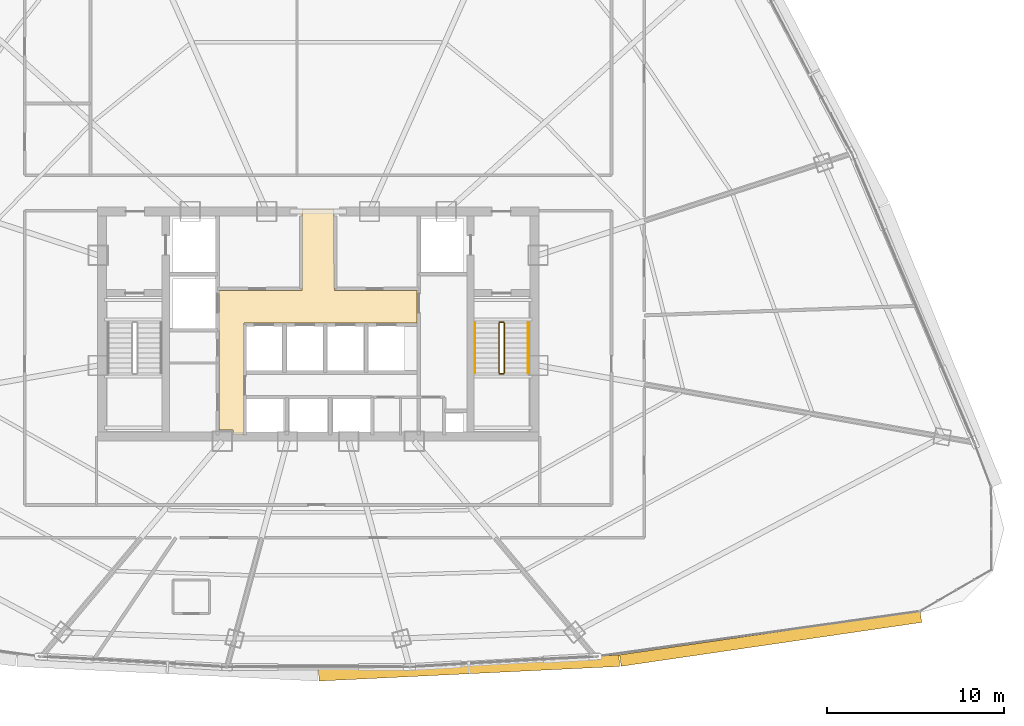
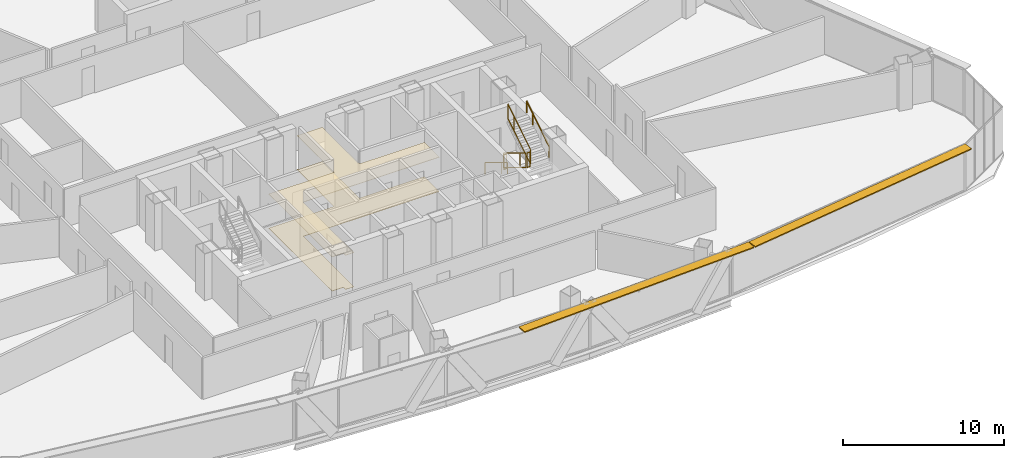
# One storey, part 36 of 38: 6 railings, 2 coverings, 2 shading devices.
"""IFC4 building model written with IfcOpenShell, lengths in metres."""

from ifc_helpers import new_model, si_unit, direction, frame, origin, origin_2d, place, context, subcontext, project, spatial, polyline, rectangle, outline, extrude, source, transform, mapped, material, layer, layer_set, type_object, element, save


model = new_model("IFC4")

# Units and contexts
model_context = context("Model", 3, precision=1e-05, world=origin(), true_north=direction((0.0, 1.0)))
body_context = subcontext(model_context, "Body", "Model", "MODEL_VIEW")
ifc_project = project(units=[si_unit("LENGTHUNIT", "METRE"), si_unit("AREAUNIT", "SQUARE_METRE"), si_unit("VOLUMEUNIT", "CUBIC_METRE"), si_unit("PLANEANGLEUNIT", "RADIAN"), si_unit("MASSUNIT", "GRAM", prefix="KILO"), si_unit("THERMODYNAMICTEMPERATUREUNIT", "KELVIN"), si_unit("POWERUNIT", "WATT")], contexts=[model_context])

# Site, building, storey
site_placement = place(None, origin())
site = spatial("IfcSite", under=ifc_project, at=site_placement, CompositionType="ELEMENT")
building_placement = place(site_placement, origin())
building = spatial("IfcBuilding", under=site, at=building_placement, Name="Yunzhuo Pagoda Commons", CompositionType="ELEMENT")
storey_placement = place(building_placement, frame((0.0, 0.0, 203.760009765625)))
storey = spatial("IfcBuildingStorey", under=building, at=storey_placement, Name="L51", CompositionType="ELEMENT", Elevation=203.760009765625)

# Coverings
ifc_material_1 = material(Name="Perforated gypsum acoustic ceiling tile")
ifc_layer_1 = layer(ifc_material_1, 0.030029296875)
ifc_layer_set_1 = layer_set([ifc_layer_1], Name="Perforated gypsum acoustic ceiling tile")
covering_type_1 = type_object("IfcCoveringType", Name="COV-CL2 Ceiling 30", PredefinedType="CEILING", material=ifc_layer_set_1)
covering_1_placement = place(storey_placement, frame((0.0, 0.0, 2.590087890625)))
element("IfcCovering", 1, at=covering_1_placement, inside=storey, type_object=covering_type_1, Name="L51 lift lobby acoustic ceiling", PredefinedType="CEILING", context=body_context, shape_type="SweptSolid", body=[
    extrude(outline(polyline([(42.39990234375, 35.75), (47.080078125, 35.75), (47.080078125, 37.25), (47.10009765625, 37.25), (47.10009765625, 40.35009765625), (48.89990234375, 40.35009765625), (48.89990234375, 37.25), (48.919921875, 37.25), (48.919921875, 35.75), (53.580078125, 35.75), (53.580078125, 33.89990234375), (43.820068359375, 33.89990234375), (43.820068359375, 27.60009765625), (43.207763671875, 27.60009765625), (43.207763671875, 27.85009765625), (43.201904296875, 27.864013671875), (43.187744140625, 27.8701171875), (42.39990234375, 27.8701171875), (42.39990234375, 33.89990234375), (42.39990234375, 35.75)])), origin(), (0.0, 0.0, 1.0), 0.02978515625),
])
ifc_material_2 = material(Name="Porcelain ceramic floor tile")
ifc_layer_2 = layer(ifc_material_2, 0.02001953125)
ifc_layer_set_2 = layer_set([ifc_layer_2], Name="Porcelain ceramic floor tile")
covering_type_2 = type_object("IfcCoveringType", Name="COV-FL1 Flooring 20", PredefinedType="FLOORING", material=ifc_layer_set_2)
covering_2_placement = place(storey_placement, origin())
element("IfcCovering", 2, at=covering_2_placement, inside=storey, type_object=covering_type_2, Name="L51 lift lobby flooring", PredefinedType="FLOORING", context=body_context, shape_type="SweptSolid", body=[
    extrude(outline(polyline([(42.39990234375, 35.75), (47.080078125, 35.75), (47.080078125, 37.25), (47.10009765625, 37.25), (47.10009765625, 40.35009765625), (48.89990234375, 40.35009765625), (48.89990234375, 37.25), (48.919921875, 37.25), (48.919921875, 35.75), (53.580078125, 35.75), (53.580078125, 33.89990234375), (43.820068359375, 33.89990234375), (43.820068359375, 27.60009765625), (43.207763671875, 27.60009765625), (43.207763671875, 27.85009765625), (43.201904296875, 27.864013671875), (43.187744140625, 27.8701171875), (42.39990234375, 27.8701171875), (42.39990234375, 33.89990234375), (42.39990234375, 35.75)])), origin(), (0.0, 0.0, 1.0), 0.02001953125),
])

# Railings
ifc_material_3 = material(Name="Anodized aluminium 6063-T6", Category="aluminium")
railing_type_1 = type_object("IfcRailingType", Name="GR-ST2 Stair Well Guardrail 1160", PredefinedType="GUARDRAIL", material=ifc_material_3)
railing_1_placement = place(storey_placement, frame((58.199951171875, 33.89990234375, 0.172607421875)))
element("IfcRailing", 3, at=railing_1_placement, inside=storey, type_object=railing_type_1, Name="L51 ST2 stair guard 1", PredefinedType="GUARDRAIL", context=body_context, shape_type="SweptSolid", body=[
    extrude(rectangle(XDim=0.048095703125, YDim=0.048095703125, at=origin_2d()), frame((0.0, 0.0, 1.1259765625), z_axis=(0.0, -0.851069175582, 0.525053576669), x_axis=(1.0, 0.0, 0.0)), (0.0, 0.0, 1.0), 3.289794921875),
    extrude(rectangle(XDim=0.048095703125, YDim=0.048095703125, at=origin_2d()), frame((0.0, 0.0, 0.02392578125), z_axis=(0.0, -0.851069175582, 0.525053576669), x_axis=(1.0, 0.0, 0.0)), (0.0, 0.0, 1.0), 3.289794921875),
    extrude(rectangle(XDim=0.0419921875, YDim=0.0419921875, at=origin_2d()), origin(), (0.0, 0.0, 1.0), 1.101806640625),
    extrude(rectangle(XDim=0.0419921875, YDim=0.0419921875, at=origin_2d()), frame((0.0, -2.04248046875, 1.260009765625)), (0.0, 0.0, 1.0), 1.101806640625),
    extrude(rectangle(XDim=0.0419921875, YDim=0.0419921875, at=origin_2d()), frame((0.0, -2.7998046875, 1.727294921875)), (0.0, 0.0, 1.0), 1.101806640625),
])
railing_2_placement = place(storey_placement, frame((58.25, 31.050048828125, 1.89990234375)))
element("IfcRailing", 4, at=railing_2_placement, inside=storey, type_object=railing_type_1, Name="L51 ST2 stair guard 2", PredefinedType="GUARDRAIL", context=body_context, shape_type="SweptSolid", body=[
    extrude(rectangle(XDim=0.048095703125, YDim=0.048095703125, at=origin_2d()), frame((0.0, 0.0, 1.1259765625), z_axis=(1.0, 0.0, 0.0), x_axis=(0.0, 1.0, 0.0)), (0.0, 0.0, 1.0), 0.199951171875),
    extrude(rectangle(XDim=0.048095703125, YDim=0.048095703125, at=origin_2d()), frame((0.0, 0.0, 0.02392578125), z_axis=(1.0, 0.0, 0.0), x_axis=(0.0, 1.0, 0.0)), (0.0, 0.0, 1.0), 0.199951171875),
    extrude(rectangle(XDim=0.0419921875, YDim=0.0419921875, at=origin_2d()), origin(), (0.0, 0.0, 1.0), 1.101806640625),
    extrude(rectangle(XDim=0.0419921875, YDim=0.0419921875, at=origin_2d()), frame((0.199951171875, 0.0, 0.0)), (0.0, 0.0, 1.0), 1.101806640625),
])
railing_3_placement = place(storey_placement, frame((58.5, 31.10009765625, 2.07275390625)))
element("IfcRailing", 5, at=railing_3_placement, inside=storey, type_object=railing_type_1, Name="L51 ST2 stair guard 3", PredefinedType="GUARDRAIL", context=body_context, shape_type="SweptSolid", body=[
    extrude(rectangle(XDim=0.048095703125, YDim=0.048095703125, at=origin_2d()), frame((0.0, 0.0, 1.1259765625), z_axis=(0.0, 0.851069175582, 0.525053576669), x_axis=(-1.0, 0.0, 0.0)), (0.0, 0.0, 1.0), 3.289794921875),
    extrude(rectangle(XDim=0.048095703125, YDim=0.048095703125, at=origin_2d()), frame((0.0, 0.0, 0.02392578125), z_axis=(0.0, 0.851069175582, 0.525053576669), x_axis=(-1.0, 0.0, 0.0)), (0.0, 0.0, 1.0), 3.289794921875),
    extrude(rectangle(XDim=0.0419921875, YDim=0.0419921875, at=origin_2d()), origin(), (0.0, 0.0, 1.0), 1.101806640625),
    extrude(rectangle(XDim=0.0419921875, YDim=0.0419921875, at=origin_2d()), frame((0.0, 2.04248046875, 1.260009765625)), (0.0, 0.0, 1.0), 1.101806640625),
    extrude(rectangle(XDim=0.0419921875, YDim=0.0419921875, at=origin_2d()), frame((0.0, 2.7998046875, 1.727294921875)), (0.0, 0.0, 1.0), 1.101806640625),
])
railing_4_placement = place(storey_placement, frame((58.25, 33.949951171875, 0.0)))
element("IfcRailing", 6, at=railing_4_placement, inside=storey, type_object=railing_type_1, Name="L51 ST2 stair guard 4", PredefinedType="GUARDRAIL", context=body_context, shape_type="SweptSolid", body=[
    extrude(rectangle(XDim=0.048095703125, YDim=0.048095703125, at=origin_2d()), frame((0.0, 0.0, 1.1259765625), z_axis=(1.0, 0.0, 0.0), x_axis=(0.0, 1.0, 0.0)), (0.0, 0.0, 1.0), 0.199951171875),
    extrude(rectangle(XDim=0.048095703125, YDim=0.048095703125, at=origin_2d()), frame((0.0, 0.0, 0.02392578125), z_axis=(1.0, 0.0, 0.0), x_axis=(0.0, 1.0, 0.0)), (0.0, 0.0, 1.0), 0.199951171875),
    extrude(rectangle(XDim=0.0419921875, YDim=0.0419921875, at=origin_2d()), origin(), (0.0, 0.0, 1.0), 1.101806640625),
    extrude(rectangle(XDim=0.0419921875, YDim=0.0419921875, at=origin_2d()), frame((0.199951171875, 0.0, 0.0)), (0.0, 0.0, 1.0), 1.101806640625),
])
railing_type_2 = type_object("IfcRailingType", Name="HR-ST2 Stair Handrail 900", PredefinedType="HANDRAIL", material=ifc_material_3)
railing_5_placement = place(storey_placement, frame((56.85009765625, 33.89990234375, 0.172607421875)))
element("IfcRailing", 7, at=railing_5_placement, inside=storey, type_object=railing_type_2, Name="L51 ST2 stair handrail 1", PredefinedType="HANDRAIL", context=body_context, shape_type="SweptSolid", body=[
    extrude(rectangle(XDim=0.048095703125, YDim=0.048095703125, at=origin_2d()), frame((0.0, 0.0, 0.8759765625), z_axis=(0.0, -0.851069175582, 0.525053576669), x_axis=(1.0, 0.0, 0.0)), (0.0, 0.0, 1.0), 3.289794921875),
    extrude(rectangle(XDim=0.0419921875, YDim=0.0419921875, at=origin_2d()), origin(), (0.0, 0.0, 1.0), 0.851806640625),
    extrude(rectangle(XDim=0.0419921875, YDim=0.0419921875, at=origin_2d()), frame((0.0, -2.04248046875, 1.260009765625)), (0.0, 0.0, 1.0), 0.851806640625),
    extrude(rectangle(XDim=0.0419921875, YDim=0.0419921875, at=origin_2d()), frame((0.0, -2.7998046875, 1.727294921875)), (0.0, 0.0, 1.0), 0.851806640625),
])
railing_6_placement = place(storey_placement, frame((59.85009765625, 31.10009765625, 2.07275390625)))
element("IfcRailing", 8, at=railing_6_placement, inside=storey, type_object=railing_type_2, Name="L51 ST2 stair handrail 2", PredefinedType="HANDRAIL", context=body_context, shape_type="SweptSolid", body=[
    extrude(rectangle(XDim=0.048095703125, YDim=0.048095703125, at=origin_2d()), frame((0.0, 0.0, 0.8759765625), z_axis=(0.0, 0.851069175582, 0.525053576669), x_axis=(-1.0, 0.0, 0.0)), (0.0, 0.0, 1.0), 3.289794921875),
    extrude(rectangle(XDim=0.0419921875, YDim=0.0419921875, at=origin_2d()), origin(), (0.0, 0.0, 1.0), 0.851806640625),
    extrude(rectangle(XDim=0.0419921875, YDim=0.0419921875, at=origin_2d()), frame((0.0, 2.04248046875, 1.260009765625)), (0.0, 0.0, 1.0), 0.851806640625),
    extrude(rectangle(XDim=0.0419921875, YDim=0.0419921875, at=origin_2d()), frame((0.0, 2.7998046875, 1.727294921875)), (0.0, 0.0, 1.0), 0.851806640625),
])

# Shading devices
ifc_layer_3 = layer(ifc_material_3, 0.080078125)
ifc_layer_set_3 = layer_set([ifc_layer_3], Name="Anodized aluminium 6063-T6")
shading_device_type = type_object("IfcShadingDeviceType", Name="SH-SUN1 Pagoda Horizontal Sunshade Eave 650", PredefinedType="USERDEFINED", material=ifc_layer_set_3)
shared_shape_1 = source(origin(), body_context, "Body", "SweptSolid", [
    extrude(rectangle(XDim=17.13525390625, YDim=0.64990234375, at=origin_2d()), origin(), (0.0, 0.0, 1.0), 0.080078125),
])
shading_device_1_placement = place(storey_placement, frame((73.527587890625, 16.1044921875, 3.4599609375), z_axis=(0.0, 0.0, 1.0), x_axis=(0.989510666697, 0.144459823108, 0.0)))
element("IfcShadingDevice", 9, at=shading_device_1_placement, inside=storey, type_object=shading_device_type, Name="L51 horizontal pagoda sunshade eave F1.4", ObjectType="SUNSHADE", PredefinedType="USERDEFINED", context=body_context, shape_type="MappedRepresentation", body=[
    mapped(shared_shape_1, transform((0.0, 0.0, 0.0), scale=1.0)),
])
shared_shape_2 = source(origin(), body_context, "Body", "SweptSolid", [
    extrude(rectangle(XDim=16.975341796875, YDim=0.64990234375, at=origin_2d()), origin(), (0.0, 0.0, 1.0), 0.080078125),
])
shading_device_2_placement = place(storey_placement, frame((56.50927734375, 14.4482421875, 3.4599609375), z_axis=(0.0, 0.0, 1.0), x_axis=(0.998818043775, 0.04860571396, 0.0)))
element("IfcShadingDevice", 10, at=shading_device_2_placement, inside=storey, type_object=shading_device_type, Name="L51 horizontal pagoda sunshade eave F1.3", ObjectType="SUNSHADE", PredefinedType="USERDEFINED", context=body_context, shape_type="MappedRepresentation", body=[
    mapped(shared_shape_2, transform((0.0, 0.0, 0.0), scale=1.0)),
])

save(model, "model.ifc")
